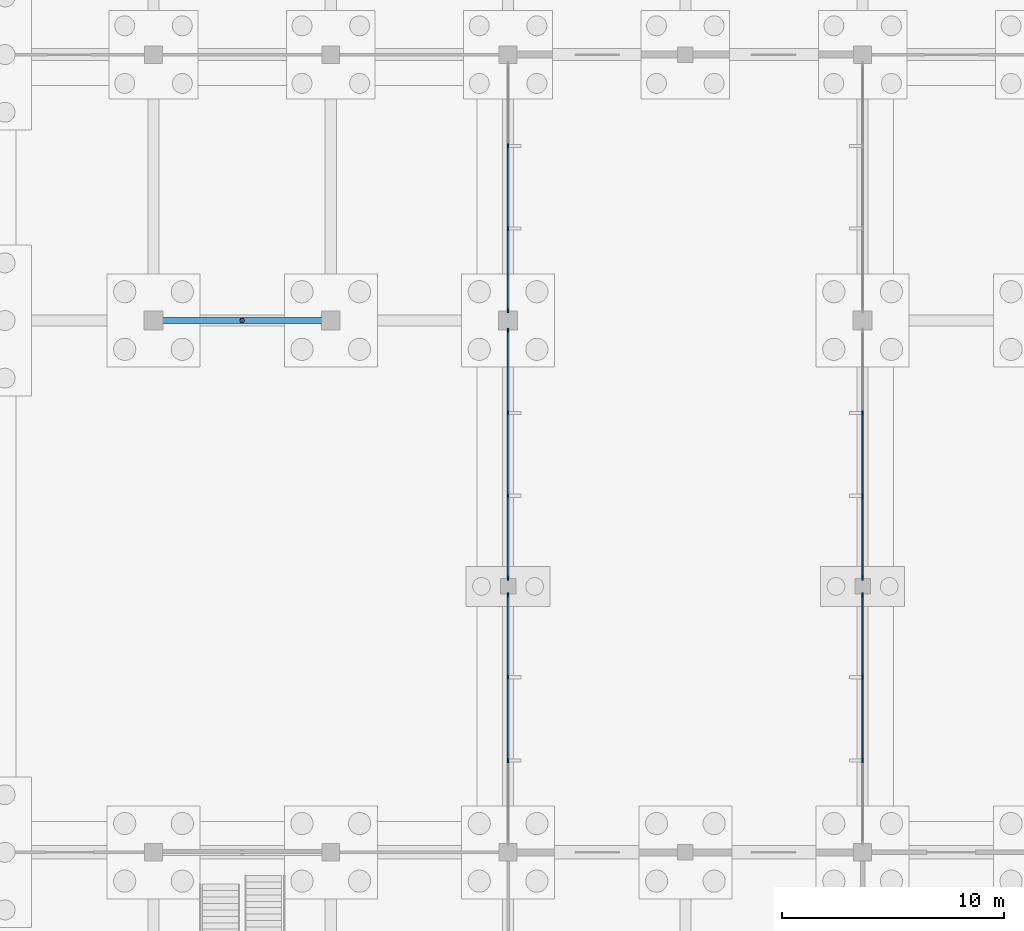
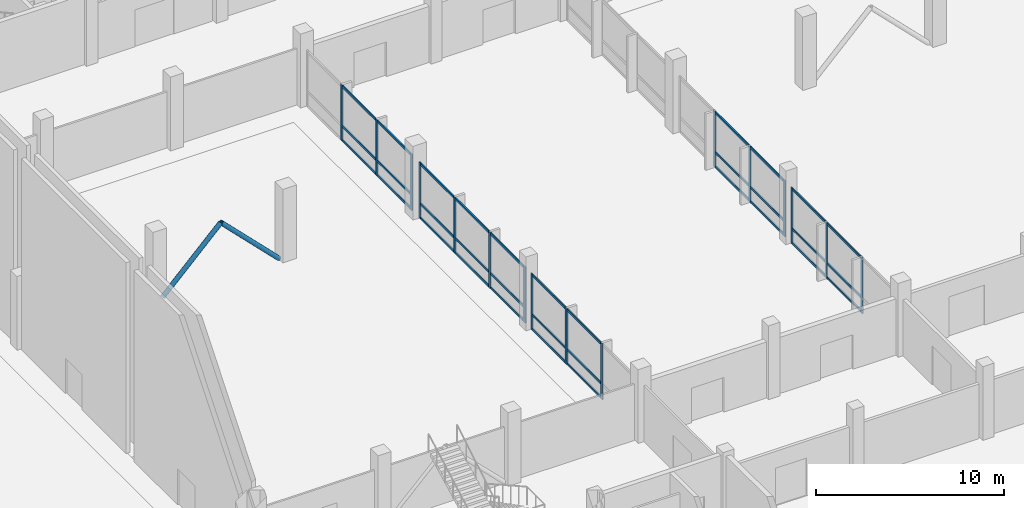
# One storey, part 25 of 72: 51 members, 5 elements without a shape of their own.
"""IFC4 building model written with IfcOpenShell, lengths in metres."""

from ifc_helpers import new_model, si_unit, direction, frame, origin, origin_2d, place, context, subcontext, project, spatial, rectangle, hollow_circle, extrude, material, material_profile, profile_set, type_object, element, aggregate, save


model = new_model("IFC4")

# Units and contexts
model_context = context("Model", 3, precision=1e-05, world=origin(), true_north=direction((0.0, 1.0)))
body_context = subcontext(model_context, "Body", "Model", "MODEL_VIEW")
ifc_project = project(units=[si_unit("LENGTHUNIT", "METRE"), si_unit("AREAUNIT", "SQUARE_METRE"), si_unit("VOLUMEUNIT", "CUBIC_METRE"), si_unit("PLANEANGLEUNIT", "RADIAN"), si_unit("MASSUNIT", "GRAM", prefix="KILO"), si_unit("THERMODYNAMICTEMPERATUREUNIT", "KELVIN"), si_unit("POWERUNIT", "WATT")], contexts=[model_context])

# Site, building, storey
site_placement = place(None, origin())
site = spatial("IfcSite", under=ifc_project, at=site_placement, CompositionType="ELEMENT")
building_placement = place(site_placement, origin())
building = spatial("IfcBuilding", under=site, at=building_placement, Name="Kronsvod Quay Wholesale Market", CompositionType="ELEMENT")
storey_placement = place(building_placement, origin())
storey = spatial("IfcBuildingStorey", under=building, at=storey_placement, Name="L00", CompositionType="ELEMENT", Elevation=0.0)

# Members
ifc_material_1 = material(Name="Steel S355", Category="steel")
ifc_material_profile_1 = material_profile(ifc_material_1, hollow_circle(Radius=0.136474609375, WallThickness=0.010009765625, at=origin_2d()), Name="CHS273x10")
ifc_profile_set_1 = profile_set([ifc_material_profile_1], Name="Steel S355")
member_type_1 = type_object("IfcMemberType", Name="Member_Brace273x10", PredefinedType="BRACE", material=ifc_profile_set_1)
for number, where, z_axis, x_axis, name in (
    (1, (72.4150390625, 78.0, 0.050048828125), (0.705639584744, 0.0, 0.708570939598), (0.0, 1.0, 0.0), "BRCG-L00-720-780-A"),
    (2, (79.5849609375, 78.0, 0.050048828125), (-0.705639584744, 0.0, 0.708570939598), (0.0, -1.0, 0.0), "BRCG-L00-720-780-B"),
):
    element("IfcMember", number, at=place(storey_placement, frame(where, z_axis=z_axis, x_axis=x_axis)), inside=storey, type_object=member_type_1, Name=name, PredefinedType="BRACE", context=body_context, shape_type="SweptSolid", body=[
        extrude(hollow_circle(Radius=0.136474609375, WallThickness=0.010009765625, at=origin_2d()), origin(), (0.0, 0.0, 1.0), 5.080322265625),
    ])

# Curtain wall, members
ifc_material_2 = material(Name="Thermally broken aluminium and triple low-E glazing", Category="aluminium")
curtain_wall_type = type_object("IfcCurtainWallType", Name="CW_Court120x35", PredefinedType="NOTDEFINED", material=ifc_material_2)
curtain_wall_1_placement = place(storey_placement, origin())
curtain_wall_1 = element("IfcCurtainWall", 3, at=curtain_wall_1_placement, inside=storey, type_object=curtain_wall_type, Name="CWGY-L00-880-540", PredefinedType="NOTDEFINED")
ifc_material_3 = material(Name="Anodised aluminium", Category="aluminium")
ifc_material_profile_2 = material_profile(ifc_material_3, rectangle(XDim=0.074951171875, YDim=0.199951171875, at=origin_2d()), Name="ALUM75x200")
ifc_profile_set_2 = profile_set([ifc_material_profile_2], Name="Anodised aluminium")
member_type_2 = type_object("IfcMemberType", Name="Mullion_ALU75x200", PredefinedType="MULLION", material=ifc_profile_set_2)
member_1_placement = place(storey_placement, frame((88.0, 58.1484375, 0.0), z_axis=(0.0, 0.0, 1.0), x_axis=(1.0, 0.0, 0.0)))
member_1 = element("IfcMember", 4, at=member_1_placement, type_object=member_type_2, Name="CWGY-L00-880-540-M2", PredefinedType="MULLION", context=body_context, shape_type="SweptSolid", body=[
    extrude(rectangle(XDim=0.074951171875, YDim=0.199951171875, at=origin_2d()), origin(), (0.0, 0.0, 1.0), 3.64990234375),
])
member_2_placement = place(storey_placement, frame((88.0, 61.901611328125, 0.0), z_axis=(0.0, 0.0, 1.0), x_axis=(1.0, 0.0, 0.0)))
member_2 = element("IfcMember", 5, at=member_2_placement, type_object=member_type_2, Name="CWGY-L00-880-540-M3", PredefinedType="MULLION", context=body_context, shape_type="SweptSolid", body=[
    extrude(rectangle(XDim=0.074951171875, YDim=0.199951171875, at=origin_2d()), origin(), (0.0, 0.0, 1.0), 3.64990234375),
])
member_3_placement = place(storey_placement, frame((88.0, 65.617431640625, 0.0), z_axis=(0.0, 0.0, 1.0), x_axis=(1.0, 0.0, 0.0)))
member_3 = element("IfcMember", 6, at=member_3_placement, type_object=member_type_2, Name="CWGY-L00-880-540-M4", PredefinedType="MULLION", context=body_context, shape_type="SweptSolid", body=[
    extrude(rectangle(XDim=0.074951171875, YDim=0.199951171875, at=origin_2d()), origin(), (0.0, 0.0, 1.0), 3.64990234375),
])

curtain_wall_2_placement = place(storey_placement, origin())
curtain_wall_2 = element("IfcCurtainWall", 7, at=curtain_wall_2_placement, inside=storey, type_object=curtain_wall_type, Name="CWGY-L00-880-660", PredefinedType="NOTDEFINED")
member_4_placement = place(storey_placement, frame((88.0, 66.382568359375, 0.0), z_axis=(0.0, 0.0, 1.0), x_axis=(1.0, 0.0, 0.0)))
member_4 = element("IfcMember", 8, at=member_4_placement, type_object=member_type_2, Name="CWGY-L00-880-660-M1", PredefinedType="MULLION", context=body_context, shape_type="SweptSolid", body=[
    extrude(rectangle(XDim=0.074951171875, YDim=0.199951171875, at=origin_2d()), origin(), (0.0, 0.0, 1.0), 3.64990234375),
])
member_5_placement = place(storey_placement, frame((88.0, 70.090087890625, 0.0), z_axis=(0.0, 0.0, 1.0), x_axis=(1.0, 0.0, 0.0)))
member_5 = element("IfcMember", 9, at=member_5_placement, type_object=member_type_2, Name="CWGY-L00-880-660-M2", PredefinedType="MULLION", context=body_context, shape_type="SweptSolid", body=[
    extrude(rectangle(XDim=0.074951171875, YDim=0.199951171875, at=origin_2d()), origin(), (0.0, 0.0, 1.0), 3.64990234375),
])
member_6_placement = place(storey_placement, frame((88.0, 73.8349609375, 0.0), z_axis=(0.0, 0.0, 1.0), x_axis=(1.0, 0.0, 0.0)))
member_6 = element("IfcMember", 10, at=member_6_placement, type_object=member_type_2, Name="CWGY-L00-880-660-M3", PredefinedType="MULLION", context=body_context, shape_type="SweptSolid", body=[
    extrude(rectangle(XDim=0.074951171875, YDim=0.199951171875, at=origin_2d()), origin(), (0.0, 0.0, 1.0), 3.64990234375),
])
member_7_placement = place(storey_placement, frame((88.0, 77.54248046875, 0.0), z_axis=(0.0, 0.0, 1.0), x_axis=(1.0, 0.0, 0.0)))
member_7 = element("IfcMember", 11, at=member_7_placement, type_object=member_type_2, Name="CWGY-L00-880-660-M4", PredefinedType="MULLION", context=body_context, shape_type="SweptSolid", body=[
    extrude(rectangle(XDim=0.074951171875, YDim=0.199951171875, at=origin_2d()), origin(), (0.0, 0.0, 1.0), 3.64990234375),
])

curtain_wall_3_placement = place(storey_placement, origin())
curtain_wall_3 = element("IfcCurtainWall", 12, at=curtain_wall_3_placement, inside=storey, type_object=curtain_wall_type, Name="CWGY-L00-880-780", PredefinedType="NOTDEFINED")
member_8_placement = place(storey_placement, frame((88.0, 78.45751953125, 0.0), z_axis=(0.0, 0.0, 1.0), x_axis=(1.0, 0.0, 0.0)))
member_8 = element("IfcMember", 13, at=member_8_placement, type_object=member_type_2, Name="CWGY-L00-880-780-M1", PredefinedType="MULLION", context=body_context, shape_type="SweptSolid", body=[
    extrude(rectangle(XDim=0.074951171875, YDim=0.199951171875, at=origin_2d()), origin(), (0.0, 0.0, 1.0), 3.64990234375),
])
member_9_placement = place(storey_placement, frame((88.0, 82.1484375, 0.0), z_axis=(0.0, 0.0, 1.0), x_axis=(1.0, 0.0, 0.0)))
member_9 = element("IfcMember", 14, at=member_9_placement, type_object=member_type_2, Name="CWGY-L00-880-780-M2", PredefinedType="MULLION", context=body_context, shape_type="SweptSolid", body=[
    extrude(rectangle(XDim=0.074951171875, YDim=0.199951171875, at=origin_2d()), origin(), (0.0, 0.0, 1.0), 3.64990234375),
])
member_10_placement = place(storey_placement, frame((88.0, 85.876708984375, 0.0), z_axis=(0.0, 0.0, 1.0), x_axis=(1.0, 0.0, 0.0)))
member_10 = element("IfcMember", 15, at=member_10_placement, type_object=member_type_2, Name="CWGY-L00-880-780-M3", PredefinedType="MULLION", context=body_context, shape_type="SweptSolid", body=[
    extrude(rectangle(XDim=0.074951171875, YDim=0.199951171875, at=origin_2d()), origin(), (0.0, 0.0, 1.0), 3.64990234375),
])

curtain_wall_4_placement = place(storey_placement, origin())
curtain_wall_4 = element("IfcCurtainWall", 16, at=curtain_wall_4_placement, inside=storey, type_object=curtain_wall_type, Name="CWGY-L00-1040-540", PredefinedType="NOTDEFINED")
member_11_placement = place(storey_placement, frame((104.0, 65.617431640625, 0.0), z_axis=(0.0, 0.0, 1.0), x_axis=(1.0, 0.0, 0.0)))
member_11 = element("IfcMember", 17, at=member_11_placement, type_object=member_type_2, Name="CWGY-L00-1040-540-M1", PredefinedType="MULLION", context=body_context, shape_type="SweptSolid", body=[
    extrude(rectangle(XDim=0.074951171875, YDim=0.199951171875, at=origin_2d()), origin(), (0.0, 0.0, 1.0), 3.64990234375),
])
member_12_placement = place(storey_placement, frame((104.0, 61.901611328125, 0.0), z_axis=(0.0, 0.0, 1.0), x_axis=(1.0, 0.0, 0.0)))
member_12 = element("IfcMember", 18, at=member_12_placement, type_object=member_type_2, Name="CWGY-L00-1040-540-M2", PredefinedType="MULLION", context=body_context, shape_type="SweptSolid", body=[
    extrude(rectangle(XDim=0.074951171875, YDim=0.199951171875, at=origin_2d()), origin(), (0.0, 0.0, 1.0), 3.64990234375),
])
member_13_placement = place(storey_placement, frame((104.0, 58.1484375, 0.0), z_axis=(0.0, 0.0, 1.0), x_axis=(1.0, 0.0, 0.0)))
member_13 = element("IfcMember", 19, at=member_13_placement, type_object=member_type_2, Name="CWGY-L00-1040-540-M3", PredefinedType="MULLION", context=body_context, shape_type="SweptSolid", body=[
    extrude(rectangle(XDim=0.074951171875, YDim=0.199951171875, at=origin_2d()), origin(), (0.0, 0.0, 1.0), 3.64990234375),
])

curtain_wall_5_placement = place(storey_placement, origin())
curtain_wall_5 = element("IfcCurtainWall", 20, at=curtain_wall_5_placement, inside=storey, type_object=curtain_wall_type, Name="CWGY-L00-1040-660", PredefinedType="NOTDEFINED")
member_14_placement = place(storey_placement, frame((104.0, 73.8349609375, 0.0), z_axis=(0.0, 0.0, 1.0), x_axis=(1.0, 0.0, 0.0)))
member_14 = element("IfcMember", 21, at=member_14_placement, type_object=member_type_2, Name="CWGY-L00-1040-660-M2", PredefinedType="MULLION", context=body_context, shape_type="SweptSolid", body=[
    extrude(rectangle(XDim=0.074951171875, YDim=0.199951171875, at=origin_2d()), origin(), (0.0, 0.0, 1.0), 3.64990234375),
])
member_15_placement = place(storey_placement, frame((104.0, 70.090087890625, 0.0), z_axis=(0.0, 0.0, 1.0), x_axis=(1.0, 0.0, 0.0)))
member_15 = element("IfcMember", 22, at=member_15_placement, type_object=member_type_2, Name="CWGY-L00-1040-660-M3", PredefinedType="MULLION", context=body_context, shape_type="SweptSolid", body=[
    extrude(rectangle(XDim=0.074951171875, YDim=0.199951171875, at=origin_2d()), origin(), (0.0, 0.0, 1.0), 3.64990234375),
])
member_16_placement = place(storey_placement, frame((104.0, 66.382568359375, 0.0), z_axis=(0.0, 0.0, 1.0), x_axis=(1.0, 0.0, 0.0)))
member_16 = element("IfcMember", 23, at=member_16_placement, type_object=member_type_2, Name="CWGY-L00-1040-660-M4", PredefinedType="MULLION", context=body_context, shape_type="SweptSolid", body=[
    extrude(rectangle(XDim=0.074951171875, YDim=0.199951171875, at=origin_2d()), origin(), (0.0, 0.0, 1.0), 3.64990234375),
])

# Member
ifc_material_4 = material(Name="Anodised aluminium", Category="aluminium")
ifc_material_profile_3 = material_profile(ifc_material_4, rectangle(XDim=0.074951171875, YDim=0.14990234375, at=origin_2d()), Name="ALUT75x150")
ifc_profile_set_3 = profile_set([ifc_material_profile_3], Name="Anodised aluminium")
member_type_3 = type_object("IfcMemberType", Name="Transom_ALU75x150", PredefinedType="USERDEFINED", material=ifc_profile_set_3)
member_17_placement = place(storey_placement, frame((88.0, 58.185791015625, 0.074951171875), z_axis=(0.0, 1.0, 0.0), x_axis=(-1.0, 0.0, 0.0)))
member_17 = element("IfcMember", 24, at=member_17_placement, type_object=member_type_3, Name="CWGY-L00-880-540-T1B2", ObjectType="TRANSOM", PredefinedType="USERDEFINED", context=body_context, shape_type="SweptSolid", body=[
    extrude(rectangle(XDim=0.074951171875, YDim=0.14990234375, at=origin_2d()), origin(), (0.0, 0.0, 1.0), 3.678466796875),
])

member_18_placement = place(storey_placement, frame((88.0, 61.939208984375, 0.074951171875), z_axis=(0.0, 1.0, 0.0), x_axis=(-1.0, 0.0, 0.0)))
member_18 = element("IfcMember", 25, at=member_18_placement, type_object=member_type_3, Name="CWGY-L00-880-540-T1B3", ObjectType="TRANSOM", PredefinedType="USERDEFINED", context=body_context, shape_type="SweptSolid", body=[
    extrude(rectangle(XDim=0.074951171875, YDim=0.14990234375, at=origin_2d()), origin(), (0.0, 0.0, 1.0), 3.640869140625),
])

member_19_placement = place(storey_placement, frame((88.0, 58.185791015625, 1.0), z_axis=(0.0, 1.0, 0.0), x_axis=(-1.0, 0.0, 0.0)))
member_19 = element("IfcMember", 26, at=member_19_placement, type_object=member_type_3, Name="CWGY-L00-880-540-T2B2", ObjectType="TRANSOM", PredefinedType="USERDEFINED", context=body_context, shape_type="SweptSolid", body=[
    extrude(rectangle(XDim=0.074951171875, YDim=0.14990234375, at=origin_2d()), origin(), (0.0, 0.0, 1.0), 3.678466796875),
])

member_20_placement = place(storey_placement, frame((88.0, 61.939208984375, 1.0), z_axis=(0.0, 1.0, 0.0), x_axis=(-1.0, 0.0, 0.0)))
member_20 = element("IfcMember", 27, at=member_20_placement, type_object=member_type_3, Name="CWGY-L00-880-540-T2B3", ObjectType="TRANSOM", PredefinedType="USERDEFINED", context=body_context, shape_type="SweptSolid", body=[
    extrude(rectangle(XDim=0.074951171875, YDim=0.14990234375, at=origin_2d()), origin(), (0.0, 0.0, 1.0), 3.640869140625),
])

member_21_placement = place(storey_placement, frame((88.0, 58.185791015625, 3.574951171875), z_axis=(0.0, 1.0, 0.0), x_axis=(-1.0, 0.0, 0.0)))
member_21 = element("IfcMember", 28, at=member_21_placement, type_object=member_type_3, Name="CWGY-L00-880-540-T3B2", ObjectType="TRANSOM", PredefinedType="USERDEFINED", context=body_context, shape_type="SweptSolid", body=[
    extrude(rectangle(XDim=0.074951171875, YDim=0.14990234375, at=origin_2d()), origin(), (0.0, 0.0, 1.0), 3.678466796875),
])

member_22_placement = place(storey_placement, frame((88.0, 61.939208984375, 3.574951171875), z_axis=(0.0, 1.0, 0.0), x_axis=(-1.0, 0.0, 0.0)))
member_22 = element("IfcMember", 29, at=member_22_placement, type_object=member_type_3, Name="CWGY-L00-880-540-T3B3", ObjectType="TRANSOM", PredefinedType="USERDEFINED", context=body_context, shape_type="SweptSolid", body=[
    extrude(rectangle(XDim=0.074951171875, YDim=0.14990234375, at=origin_2d()), origin(), (0.0, 0.0, 1.0), 3.640869140625),
])

aggregate(curtain_wall_1, [member_1, member_2, member_3, member_17, member_18, member_19, member_20, member_21, member_22])

member_23_placement = place(storey_placement, frame((88.0, 66.419921875, 0.074951171875), z_axis=(0.0, 1.0, 0.0), x_axis=(-1.0, 0.0, 0.0)))
member_23 = element("IfcMember", 30, at=member_23_placement, type_object=member_type_3, Name="CWGY-L00-880-660-T1B1", ObjectType="TRANSOM", PredefinedType="USERDEFINED", context=body_context, shape_type="SweptSolid", body=[
    extrude(rectangle(XDim=0.074951171875, YDim=0.14990234375, at=origin_2d()), origin(), (0.0, 0.0, 1.0), 3.632568359375),
])

member_24_placement = place(storey_placement, frame((88.0, 70.12744140625, 0.074951171875), z_axis=(0.0, 1.0, 0.0), x_axis=(-1.0, 0.0, 0.0)))
member_24 = element("IfcMember", 31, at=member_24_placement, type_object=member_type_3, Name="CWGY-L00-880-660-T1B2", ObjectType="TRANSOM", PredefinedType="USERDEFINED", context=body_context, shape_type="SweptSolid", body=[
    extrude(rectangle(XDim=0.074951171875, YDim=0.14990234375, at=origin_2d()), origin(), (0.0, 0.0, 1.0), 3.670166015625),
])

member_25_placement = place(storey_placement, frame((88.0, 73.87255859375, 0.074951171875), z_axis=(0.0, 1.0, 0.0), x_axis=(-1.0, 0.0, 0.0)))
member_25 = element("IfcMember", 32, at=member_25_placement, type_object=member_type_3, Name="CWGY-L00-880-660-T1B3", ObjectType="TRANSOM", PredefinedType="USERDEFINED", context=body_context, shape_type="SweptSolid", body=[
    extrude(rectangle(XDim=0.074951171875, YDim=0.14990234375, at=origin_2d()), origin(), (0.0, 0.0, 1.0), 3.63232421875),
])

member_26_placement = place(storey_placement, frame((88.0, 66.419921875, 1.0), z_axis=(0.0, 1.0, 0.0), x_axis=(-1.0, 0.0, 0.0)))
member_26 = element("IfcMember", 33, at=member_26_placement, type_object=member_type_3, Name="CWGY-L00-880-660-T2B1", ObjectType="TRANSOM", PredefinedType="USERDEFINED", context=body_context, shape_type="SweptSolid", body=[
    extrude(rectangle(XDim=0.074951171875, YDim=0.14990234375, at=origin_2d()), origin(), (0.0, 0.0, 1.0), 3.632568359375),
])

member_27_placement = place(storey_placement, frame((88.0, 70.12744140625, 1.0), z_axis=(0.0, 1.0, 0.0), x_axis=(-1.0, 0.0, 0.0)))
member_27 = element("IfcMember", 34, at=member_27_placement, type_object=member_type_3, Name="CWGY-L00-880-660-T2B2", ObjectType="TRANSOM", PredefinedType="USERDEFINED", context=body_context, shape_type="SweptSolid", body=[
    extrude(rectangle(XDim=0.074951171875, YDim=0.14990234375, at=origin_2d()), origin(), (0.0, 0.0, 1.0), 3.670166015625),
])

member_28_placement = place(storey_placement, frame((88.0, 73.87255859375, 1.0), z_axis=(0.0, 1.0, 0.0), x_axis=(-1.0, 0.0, 0.0)))
member_28 = element("IfcMember", 35, at=member_28_placement, type_object=member_type_3, Name="CWGY-L00-880-660-T2B3", ObjectType="TRANSOM", PredefinedType="USERDEFINED", context=body_context, shape_type="SweptSolid", body=[
    extrude(rectangle(XDim=0.074951171875, YDim=0.14990234375, at=origin_2d()), origin(), (0.0, 0.0, 1.0), 3.63232421875),
])

member_29_placement = place(storey_placement, frame((88.0, 66.419921875, 3.574951171875), z_axis=(0.0, 1.0, 0.0), x_axis=(-1.0, 0.0, 0.0)))
member_29 = element("IfcMember", 36, at=member_29_placement, type_object=member_type_3, Name="CWGY-L00-880-660-T3B1", ObjectType="TRANSOM", PredefinedType="USERDEFINED", context=body_context, shape_type="SweptSolid", body=[
    extrude(rectangle(XDim=0.074951171875, YDim=0.14990234375, at=origin_2d()), origin(), (0.0, 0.0, 1.0), 3.632568359375),
])

member_30_placement = place(storey_placement, frame((88.0, 70.12744140625, 3.574951171875), z_axis=(0.0, 1.0, 0.0), x_axis=(-1.0, 0.0, 0.0)))
member_30 = element("IfcMember", 37, at=member_30_placement, type_object=member_type_3, Name="CWGY-L00-880-660-T3B2", ObjectType="TRANSOM", PredefinedType="USERDEFINED", context=body_context, shape_type="SweptSolid", body=[
    extrude(rectangle(XDim=0.074951171875, YDim=0.14990234375, at=origin_2d()), origin(), (0.0, 0.0, 1.0), 3.670166015625),
])

member_31_placement = place(storey_placement, frame((88.0, 73.87255859375, 3.574951171875), z_axis=(0.0, 1.0, 0.0), x_axis=(-1.0, 0.0, 0.0)))
member_31 = element("IfcMember", 38, at=member_31_placement, type_object=member_type_3, Name="CWGY-L00-880-660-T3B3", ObjectType="TRANSOM", PredefinedType="USERDEFINED", context=body_context, shape_type="SweptSolid", body=[
    extrude(rectangle(XDim=0.074951171875, YDim=0.14990234375, at=origin_2d()), origin(), (0.0, 0.0, 1.0), 3.63232421875),
])

aggregate(curtain_wall_2, [member_4, member_5, member_6, member_7, member_23, member_24, member_25, member_26, member_27, member_28, member_29, member_30, member_31])

member_32_placement = place(storey_placement, frame((88.0, 78.4951171875, 0.074951171875), z_axis=(0.0, 1.0, 0.0), x_axis=(-1.0, 0.0, 0.0)))
member_32 = element("IfcMember", 39, at=member_32_placement, type_object=member_type_3, Name="CWGY-L00-880-780-T1B1", ObjectType="TRANSOM", PredefinedType="USERDEFINED", context=body_context, shape_type="SweptSolid", body=[
    extrude(rectangle(XDim=0.074951171875, YDim=0.14990234375, at=origin_2d()), origin(), (0.0, 0.0, 1.0), 3.61572265625),
])

member_33_placement = place(storey_placement, frame((88.0, 82.185791015625, 0.074951171875), z_axis=(0.0, 1.0, 0.0), x_axis=(-1.0, 0.0, 0.0)))
member_33 = element("IfcMember", 40, at=member_33_placement, type_object=member_type_3, Name="CWGY-L00-880-780-T1B2", ObjectType="TRANSOM", PredefinedType="USERDEFINED", context=body_context, shape_type="SweptSolid", body=[
    extrude(rectangle(XDim=0.074951171875, YDim=0.14990234375, at=origin_2d()), origin(), (0.0, 0.0, 1.0), 3.6533203125),
])

member_34_placement = place(storey_placement, frame((88.0, 78.4951171875, 1.0), z_axis=(0.0, 1.0, 0.0), x_axis=(-1.0, 0.0, 0.0)))
member_34 = element("IfcMember", 41, at=member_34_placement, type_object=member_type_3, Name="CWGY-L00-880-780-T2B1", ObjectType="TRANSOM", PredefinedType="USERDEFINED", context=body_context, shape_type="SweptSolid", body=[
    extrude(rectangle(XDim=0.074951171875, YDim=0.14990234375, at=origin_2d()), origin(), (0.0, 0.0, 1.0), 3.61572265625),
])

member_35_placement = place(storey_placement, frame((88.0, 82.185791015625, 1.0), z_axis=(0.0, 1.0, 0.0), x_axis=(-1.0, 0.0, 0.0)))
member_35 = element("IfcMember", 42, at=member_35_placement, type_object=member_type_3, Name="CWGY-L00-880-780-T2B2", ObjectType="TRANSOM", PredefinedType="USERDEFINED", context=body_context, shape_type="SweptSolid", body=[
    extrude(rectangle(XDim=0.074951171875, YDim=0.14990234375, at=origin_2d()), origin(), (0.0, 0.0, 1.0), 3.6533203125),
])

member_36_placement = place(storey_placement, frame((88.0, 78.4951171875, 3.574951171875), z_axis=(0.0, 1.0, 0.0), x_axis=(-1.0, 0.0, 0.0)))
member_36 = element("IfcMember", 43, at=member_36_placement, type_object=member_type_3, Name="CWGY-L00-880-780-T3B1", ObjectType="TRANSOM", PredefinedType="USERDEFINED", context=body_context, shape_type="SweptSolid", body=[
    extrude(rectangle(XDim=0.074951171875, YDim=0.14990234375, at=origin_2d()), origin(), (0.0, 0.0, 1.0), 3.61572265625),
])

member_37_placement = place(storey_placement, frame((88.0, 82.185791015625, 3.574951171875), z_axis=(0.0, 1.0, 0.0), x_axis=(-1.0, 0.0, 0.0)))
member_37 = element("IfcMember", 44, at=member_37_placement, type_object=member_type_3, Name="CWGY-L00-880-780-T3B2", ObjectType="TRANSOM", PredefinedType="USERDEFINED", context=body_context, shape_type="SweptSolid", body=[
    extrude(rectangle(XDim=0.074951171875, YDim=0.14990234375, at=origin_2d()), origin(), (0.0, 0.0, 1.0), 3.6533203125),
])

aggregate(curtain_wall_3, [member_8, member_9, member_10, member_32, member_33, member_34, member_35, member_36, member_37])

member_38_placement = place(storey_placement, frame((104.0, 65.580078125, 0.074951171875), z_axis=(0.0, -1.0, 0.0), x_axis=(1.0, 0.0, 0.0)))
member_38 = element("IfcMember", 45, at=member_38_placement, type_object=member_type_3, Name="CWGY-L00-1040-540-T1B1", ObjectType="TRANSOM", PredefinedType="USERDEFINED", context=body_context, shape_type="SweptSolid", body=[
    extrude(rectangle(XDim=0.074951171875, YDim=0.14990234375, at=origin_2d()), origin(), (0.0, 0.0, 1.0), 3.640869140625),
])

member_39_placement = place(storey_placement, frame((104.0, 61.8642578125, 0.074951171875), z_axis=(0.0, -1.0, 0.0), x_axis=(1.0, 0.0, 0.0)))
member_39 = element("IfcMember", 46, at=member_39_placement, type_object=member_type_3, Name="CWGY-L00-1040-540-T1B2", ObjectType="TRANSOM", PredefinedType="USERDEFINED", context=body_context, shape_type="SweptSolid", body=[
    extrude(rectangle(XDim=0.074951171875, YDim=0.14990234375, at=origin_2d()), origin(), (0.0, 0.0, 1.0), 3.678466796875),
])

member_40_placement = place(storey_placement, frame((104.0, 65.580078125, 1.0), z_axis=(0.0, -1.0, 0.0), x_axis=(1.0, 0.0, 0.0)))
member_40 = element("IfcMember", 47, at=member_40_placement, type_object=member_type_3, Name="CWGY-L00-1040-540-T2B1", ObjectType="TRANSOM", PredefinedType="USERDEFINED", context=body_context, shape_type="SweptSolid", body=[
    extrude(rectangle(XDim=0.074951171875, YDim=0.14990234375, at=origin_2d()), origin(), (0.0, 0.0, 1.0), 3.640869140625),
])

member_41_placement = place(storey_placement, frame((104.0, 61.8642578125, 1.0), z_axis=(0.0, -1.0, 0.0), x_axis=(1.0, 0.0, 0.0)))
member_41 = element("IfcMember", 48, at=member_41_placement, type_object=member_type_3, Name="CWGY-L00-1040-540-T2B2", ObjectType="TRANSOM", PredefinedType="USERDEFINED", context=body_context, shape_type="SweptSolid", body=[
    extrude(rectangle(XDim=0.074951171875, YDim=0.14990234375, at=origin_2d()), origin(), (0.0, 0.0, 1.0), 3.678466796875),
])

member_42_placement = place(storey_placement, frame((104.0, 65.580078125, 3.574951171875), z_axis=(0.0, -1.0, 0.0), x_axis=(1.0, 0.0, 0.0)))
member_42 = element("IfcMember", 49, at=member_42_placement, type_object=member_type_3, Name="CWGY-L00-1040-540-T3B1", ObjectType="TRANSOM", PredefinedType="USERDEFINED", context=body_context, shape_type="SweptSolid", body=[
    extrude(rectangle(XDim=0.074951171875, YDim=0.14990234375, at=origin_2d()), origin(), (0.0, 0.0, 1.0), 3.640869140625),
])

member_43_placement = place(storey_placement, frame((104.0, 61.8642578125, 3.574951171875), z_axis=(0.0, -1.0, 0.0), x_axis=(1.0, 0.0, 0.0)))
member_43 = element("IfcMember", 50, at=member_43_placement, type_object=member_type_3, Name="CWGY-L00-1040-540-T3B2", ObjectType="TRANSOM", PredefinedType="USERDEFINED", context=body_context, shape_type="SweptSolid", body=[
    extrude(rectangle(XDim=0.074951171875, YDim=0.14990234375, at=origin_2d()), origin(), (0.0, 0.0, 1.0), 3.678466796875),
])

aggregate(curtain_wall_4, [member_11, member_12, member_13, member_38, member_39, member_40, member_41, member_42, member_43])

member_44_placement = place(storey_placement, frame((104.0, 73.797607421875, 0.074951171875), z_axis=(0.0, -1.0, 0.0), x_axis=(1.0, 0.0, 0.0)))
member_44 = element("IfcMember", 51, at=member_44_placement, type_object=member_type_3, Name="CWGY-L00-1040-660-T1B2", ObjectType="TRANSOM", PredefinedType="USERDEFINED", context=body_context, shape_type="SweptSolid", body=[
    extrude(rectangle(XDim=0.074951171875, YDim=0.14990234375, at=origin_2d()), origin(), (0.0, 0.0, 1.0), 3.670166015625),
])

member_45_placement = place(storey_placement, frame((104.0, 70.052490234375, 0.074951171875), z_axis=(0.0, -1.0, 0.0), x_axis=(1.0, 0.0, 0.0)))
member_45 = element("IfcMember", 52, at=member_45_placement, type_object=member_type_3, Name="CWGY-L00-1040-660-T1B3", ObjectType="TRANSOM", PredefinedType="USERDEFINED", context=body_context, shape_type="SweptSolid", body=[
    extrude(rectangle(XDim=0.074951171875, YDim=0.14990234375, at=origin_2d()), origin(), (0.0, 0.0, 1.0), 3.632568359375),
])

member_46_placement = place(storey_placement, frame((104.0, 73.797607421875, 1.0), z_axis=(0.0, -1.0, 0.0), x_axis=(1.0, 0.0, 0.0)))
member_46 = element("IfcMember", 53, at=member_46_placement, type_object=member_type_3, Name="CWGY-L00-1040-660-T2B2", ObjectType="TRANSOM", PredefinedType="USERDEFINED", context=body_context, shape_type="SweptSolid", body=[
    extrude(rectangle(XDim=0.074951171875, YDim=0.14990234375, at=origin_2d()), origin(), (0.0, 0.0, 1.0), 3.670166015625),
])

member_47_placement = place(storey_placement, frame((104.0, 70.052490234375, 1.0), z_axis=(0.0, -1.0, 0.0), x_axis=(1.0, 0.0, 0.0)))
member_47 = element("IfcMember", 54, at=member_47_placement, type_object=member_type_3, Name="CWGY-L00-1040-660-T2B3", ObjectType="TRANSOM", PredefinedType="USERDEFINED", context=body_context, shape_type="SweptSolid", body=[
    extrude(rectangle(XDim=0.074951171875, YDim=0.14990234375, at=origin_2d()), origin(), (0.0, 0.0, 1.0), 3.632568359375),
])

member_48_placement = place(storey_placement, frame((104.0, 73.797607421875, 3.574951171875), z_axis=(0.0, -1.0, 0.0), x_axis=(1.0, 0.0, 0.0)))
member_48 = element("IfcMember", 55, at=member_48_placement, type_object=member_type_3, Name="CWGY-L00-1040-660-T3B2", ObjectType="TRANSOM", PredefinedType="USERDEFINED", context=body_context, shape_type="SweptSolid", body=[
    extrude(rectangle(XDim=0.074951171875, YDim=0.14990234375, at=origin_2d()), origin(), (0.0, 0.0, 1.0), 3.670166015625),
])

member_49_placement = place(storey_placement, frame((104.0, 70.052490234375, 3.574951171875), z_axis=(0.0, -1.0, 0.0), x_axis=(1.0, 0.0, 0.0)))
member_49 = element("IfcMember", 56, at=member_49_placement, type_object=member_type_3, Name="CWGY-L00-1040-660-T3B3", ObjectType="TRANSOM", PredefinedType="USERDEFINED", context=body_context, shape_type="SweptSolid", body=[
    extrude(rectangle(XDim=0.074951171875, YDim=0.14990234375, at=origin_2d()), origin(), (0.0, 0.0, 1.0), 3.632568359375),
])

aggregate(curtain_wall_5, [member_14, member_15, member_16, member_44, member_45, member_46, member_47, member_48, member_49])

save(model, "model.ifc")
